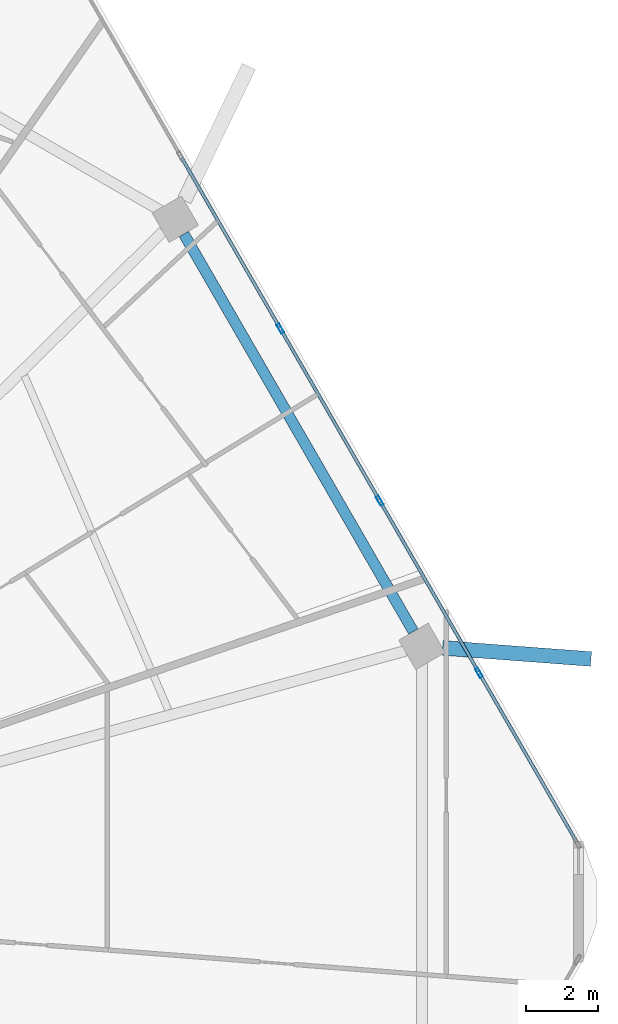
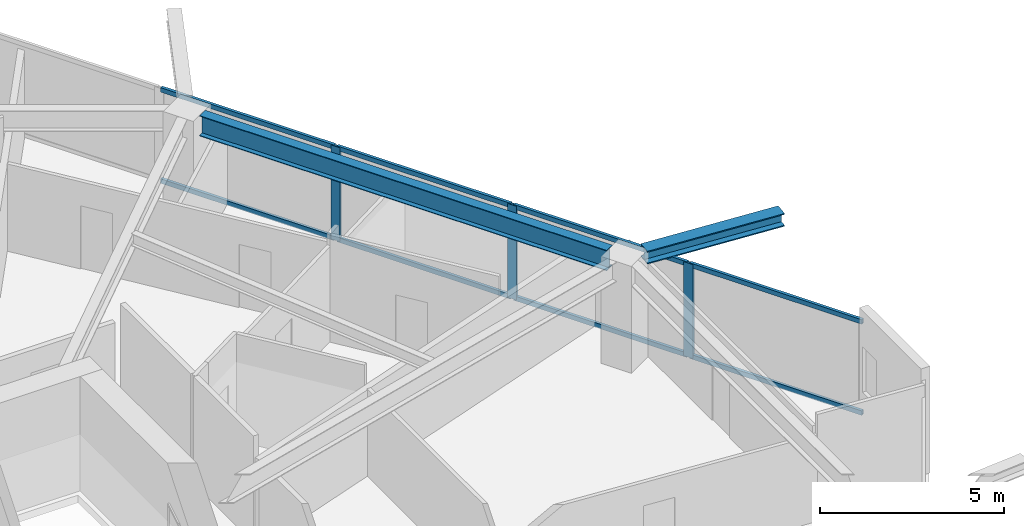
# One storey, part 16 of 27: 11 members, 2 beams, 1 element without a shape of its own.
"""IFC4 building model written with IfcOpenShell, lengths in metres."""

from ifc_helpers import new_model, si_unit, direction, frame, origin, origin_2d, place, context, subcontext, project, spatial, hollow_rectangle, i_section, extrude, material, material_profile, profile_set, type_object, element, aggregate, save


model = new_model("IFC4")

# Units and contexts
model_context = context("Model", 3, precision=1e-05, world=origin(), true_north=direction((0.0, 1.0)))
body_context = subcontext(model_context, "Body", "Model", "MODEL_VIEW")
ifc_project = project(units=[si_unit("LENGTHUNIT", "METRE"), si_unit("AREAUNIT", "SQUARE_METRE"), si_unit("VOLUMEUNIT", "CUBIC_METRE"), si_unit("PLANEANGLEUNIT", "RADIAN"), si_unit("MASSUNIT", "GRAM", prefix="KILO")], contexts=[model_context])

# Site, building, storey
site_placement = place(None, origin())
site = spatial("IfcSite", under=ifc_project, at=site_placement, CompositionType="ELEMENT")
building_placement = place(site_placement, origin())
building = spatial("IfcBuilding", under=site, at=building_placement, Name="Zuhravey Tower", CompositionType="ELEMENT")
storey_placement = place(building_placement, frame((0.0, 0.0, 218.800048828125)))
storey = spatial("IfcBuildingStorey", under=building, at=storey_placement, Name="L55", CompositionType="ELEMENT", Elevation=218.800048828125)

# Curtain wall, members
ifc_material_1 = material(Name="Thermally broken anodised aluminium", Category="aluminium")
curtain_wall_type = type_object("IfcCurtainWallType", Name="Zone 1-2 Residential Curtain Wall CW3", PredefinedType="NOTDEFINED", material=ifc_material_1)
curtain_wall_placement = place(storey_placement, origin())
curtain_wall = element("IfcCurtainWall", 1, at=curtain_wall_placement, inside=storey, type_object=curtain_wall_type, Name="L55 CW3 CW-L55-F1-1", PredefinedType="NOTDEFINED")
ifc_material_2 = material(Name="Anodised aluminium", Category="aluminium")
ifc_material_profile_1 = material_profile(ifc_material_2, hollow_rectangle(XDim=0.090087890625, YDim=0.284912109375, WallThickness=0.0048828125, at=origin_2d()), Name="ALU-RHS-90x285x5")
ifc_profile_set_1 = profile_set([ifc_material_profile_1], Name="Anodised aluminium")
member_type_1 = type_object("IfcMemberType", Name="Curtain-Wall Mullion 90x180", PredefinedType="MULLION", material=ifc_profile_set_1)
member_1_placement = place(storey_placement, frame((58.155029296875, 47.992431640625, 0.0), z_axis=(0.0, 0.0, 1.0), x_axis=(0.866025138215, 0.500000459979, 0.0)))
member_1 = element("IfcMember", 2, at=member_1_placement, type_object=member_type_1, Name="CW3 mullion 3", PredefinedType="MULLION", context=body_context, shape_type="SweptSolid", body=[
    extrude(hollow_rectangle(XDim=0.090087890625, YDim=0.284912109375, WallThickness=0.0048828125, at=origin_2d()), origin(), (0.0, 0.0, 1.0), 3.1220703125),
])
member_2_placement = place(storey_placement, frame((60.92724609375, 43.190673828125, 0.0), z_axis=(0.0, 0.0, 1.0), x_axis=(0.866025138215, 0.500000459979, 0.0)))
member_2 = element("IfcMember", 3, at=member_2_placement, type_object=member_type_1, Name="CW3 mullion 4", PredefinedType="MULLION", context=body_context, shape_type="SweptSolid", body=[
    extrude(hollow_rectangle(XDim=0.090087890625, YDim=0.284912109375, WallThickness=0.0048828125, at=origin_2d()), origin(), (0.0, 0.0, 1.0), 3.1220703125),
])
member_3_placement = place(storey_placement, frame((63.699462890625, 38.38916015625, 0.0), z_axis=(0.0, 0.0, 1.0), x_axis=(0.866025138215, 0.500000459979, 0.0)))
member_3 = element("IfcMember", 4, at=member_3_placement, type_object=member_type_1, Name="CW3 mullion 5", PredefinedType="MULLION", context=body_context, shape_type="SweptSolid", body=[
    extrude(hollow_rectangle(XDim=0.090087890625, YDim=0.284912109375, WallThickness=0.0048828125, at=origin_2d()), origin(), (0.0, 0.0, 1.0), 3.1220703125),
])
ifc_material_profile_2 = material_profile(ifc_material_2, hollow_rectangle(XDim=0.090087890625, YDim=0.14990234375, WallThickness=0.0048828125, at=origin_2d()), Name="ALU-RHS-90x150x5")
ifc_profile_set_2 = profile_set([ifc_material_profile_2], Name="Anodised aluminium")
member_type_2 = type_object("IfcMemberType", Name="Curtain-Wall Transom 90x150", PredefinedType="USERDEFINED", material=ifc_profile_set_2)
member_4_placement = place(storey_placement, frame((55.405517578125, 52.755126953125, 0.044921875), z_axis=(0.49996138257, -0.86604769842, 0.0), x_axis=(0.86604769842, 0.49996138257, 0.0)))
member_4 = element("IfcMember", 5, at=member_4_placement, type_object=member_type_2, Name="CW3 transom 2.1", ObjectType="TRANSOM", PredefinedType="USERDEFINED", context=body_context, shape_type="SweptSolid", body=[
    extrude(hollow_rectangle(XDim=0.090087890625, YDim=0.14990234375, WallThickness=0.0048828125, at=origin_2d()), origin(), (0.0, 0.0, 1.0), 5.45458984375),
])
member_5_placement = place(storey_placement, frame((55.405517578125, 52.755126953125, 3.076904296875), z_axis=(0.49996138257, -0.86604769842, 0.0), x_axis=(0.86604769842, 0.49996138257, 0.0)))
member_5 = element("IfcMember", 6, at=member_5_placement, type_object=member_type_2, Name="CW3 transom 2.2", ObjectType="TRANSOM", PredefinedType="USERDEFINED", context=body_context, shape_type="SweptSolid", body=[
    extrude(hollow_rectangle(XDim=0.090087890625, YDim=0.14990234375, WallThickness=0.0048828125, at=origin_2d()), origin(), (0.0, 0.0, 1.0), 5.45458984375),
])
member_6_placement = place(storey_placement, frame((58.177734375, 47.953369140625, 0.044921875), z_axis=(0.499980763544, -0.866036509673, 0.0), x_axis=(0.866036509673, 0.499980763544, 0.0)))
member_6 = element("IfcMember", 7, at=member_6_placement, type_object=member_type_2, Name="CW3 transom 3.1", ObjectType="TRANSOM", PredefinedType="USERDEFINED", context=body_context, shape_type="SweptSolid", body=[
    extrude(hollow_rectangle(XDim=0.090087890625, YDim=0.14990234375, WallThickness=0.0048828125, at=origin_2d()), origin(), (0.0, 0.0, 1.0), 5.454345703125),
])
member_7_placement = place(storey_placement, frame((58.177734375, 47.953369140625, 3.076904296875), z_axis=(0.499980763544, -0.866036509673, 0.0), x_axis=(0.866036509673, 0.499980763544, 0.0)))
member_7 = element("IfcMember", 8, at=member_7_placement, type_object=member_type_2, Name="CW3 transom 3.2", ObjectType="TRANSOM", PredefinedType="USERDEFINED", context=body_context, shape_type="SweptSolid", body=[
    extrude(hollow_rectangle(XDim=0.090087890625, YDim=0.14990234375, WallThickness=0.0048828125, at=origin_2d()), origin(), (0.0, 0.0, 1.0), 5.454345703125),
])
member_8_placement = place(storey_placement, frame((60.949951171875, 43.15185546875, 0.044921875), z_axis=(0.49996138257, -0.86604769842, 0.0), x_axis=(0.86604769842, 0.49996138257, 0.0)))
member_8 = element("IfcMember", 9, at=member_8_placement, type_object=member_type_2, Name="CW3 transom 4.1", ObjectType="TRANSOM", PredefinedType="USERDEFINED", context=body_context, shape_type="SweptSolid", body=[
    extrude(hollow_rectangle(XDim=0.090087890625, YDim=0.14990234375, WallThickness=0.0048828125, at=origin_2d()), origin(), (0.0, 0.0, 1.0), 5.45458984375),
])
member_9_placement = place(storey_placement, frame((60.949951171875, 43.15185546875, 3.076904296875), z_axis=(0.49996138257, -0.86604769842, 0.0), x_axis=(0.86604769842, 0.49996138257, 0.0)))
member_9 = element("IfcMember", 10, at=member_9_placement, type_object=member_type_2, Name="CW3 transom 4.2", ObjectType="TRANSOM", PredefinedType="USERDEFINED", context=body_context, shape_type="SweptSolid", body=[
    extrude(hollow_rectangle(XDim=0.090087890625, YDim=0.14990234375, WallThickness=0.0048828125, at=origin_2d()), origin(), (0.0, 0.0, 1.0), 5.45458984375),
])
member_10_placement = place(storey_placement, frame((63.72216796875, 38.35009765625, 0.044921875), z_axis=(0.499993332629, -0.866029253159, 0.0), x_axis=(0.866029253159, 0.499993332629, 0.0)))
member_10 = element("IfcMember", 11, at=member_10_placement, type_object=member_type_2, Name="CW3 transom 5.1", ObjectType="TRANSOM", PredefinedType="USERDEFINED", context=body_context, shape_type="SweptSolid", body=[
    extrude(hollow_rectangle(XDim=0.090087890625, YDim=0.14990234375, WallThickness=0.0048828125, at=origin_2d()), origin(), (0.0, 0.0, 1.0), 5.4091796875),
])
member_11_placement = place(storey_placement, frame((63.72216796875, 38.35009765625, 3.076904296875), z_axis=(0.499993332629, -0.866029253159, 0.0), x_axis=(0.866029253159, 0.499993332629, 0.0)))
member_11 = element("IfcMember", 12, at=member_11_placement, type_object=member_type_2, Name="CW3 transom 5.2", ObjectType="TRANSOM", PredefinedType="USERDEFINED", context=body_context, shape_type="SweptSolid", body=[
    extrude(hollow_rectangle(XDim=0.090087890625, YDim=0.14990234375, WallThickness=0.0048828125, at=origin_2d()), origin(), (0.0, 0.0, 1.0), 5.4091796875),
])
aggregate(curtain_wall, [member_1, member_2, member_3, member_4, member_5, member_6, member_7, member_8, member_9, member_10, member_11])

# Beams
ifc_material_3 = material(Name="Steel SM460", Category="steel")
ifc_material_profile_3 = material_profile(ifc_material_3, i_section(OverallWidth=0.406982421875, OverallDepth=0.427978515625, WebThickness=0.02001953125, FlangeThickness=0.034912109375, at=origin_2d()), Name="H-428x407x20x35")
ifc_profile_set_3 = profile_set([ifc_material_profile_3], Name="Steel SM460")
beam_type_1 = type_object("IfcBeamType", Name="Exoskeleton Node Tie Beam H428x407", PredefinedType="BEAM", material=ifc_profile_set_3)
beam_1_placement = place(storey_placement, frame((62.684814453125, 39.083251953125, 3.3359375), z_axis=(0.997197335543, -0.074816268185, 0.0), x_axis=(0.074816268185, 0.997197335543, 0.0)))
element("IfcBeam", 13, at=beam_1_placement, inside=storey, type_object=beam_type_1, Name="L55 Exoskeleton Node Tie NT1-01", PredefinedType="BEAM", context=body_context, shape_type="SweptSolid", body=[
    extrude(i_section(OverallWidth=0.406982421875, OverallDepth=0.427978515625, WebThickness=0.02001953125, FlangeThickness=0.034912109375, at=origin_2d()), origin(), (0.0, 0.0, 1.0), 4.15087890625),
])
ifc_material_4 = material(Name="Steel SM355", Category="steel")
ifc_material_profile_4 = material_profile(ifc_material_4, i_section(OverallWidth=0.300048828125, OverallDepth=0.679931640625, WebThickness=0.012939453125, FlangeThickness=0.02197265625, at=origin_2d()), Name="H-680x300x13x22")
ifc_profile_set_4 = profile_set([ifc_material_profile_4], Name="Steel SM355")
beam_type_2 = type_object("IfcBeamType", Name="Perimeter Ring Beam H680x300", PredefinedType="BEAM", material=ifc_profile_set_4)
beam_2_placement = place(storey_placement, frame((61.86865234375, 39.54052734375, 3.2099609375), z_axis=(-0.500003505699, 0.866023379758, 0.0), x_axis=(-0.866023379758, -0.500003505699, 0.0)))
element("IfcBeam", 14, at=beam_2_placement, inside=storey, type_object=beam_type_2, Name="L55 PB2 BM-L55-PB-01", PredefinedType="BEAM", context=body_context, shape_type="SweptSolid", body=[
    extrude(i_section(OverallWidth=0.300048828125, OverallDepth=0.679931640625, WebThickness=0.012939453125, FlangeThickness=0.02197265625, at=origin_2d()), origin(), (0.0, 0.0, 1.0), 12.80810546875),
])

save(model, "model.ifc")
